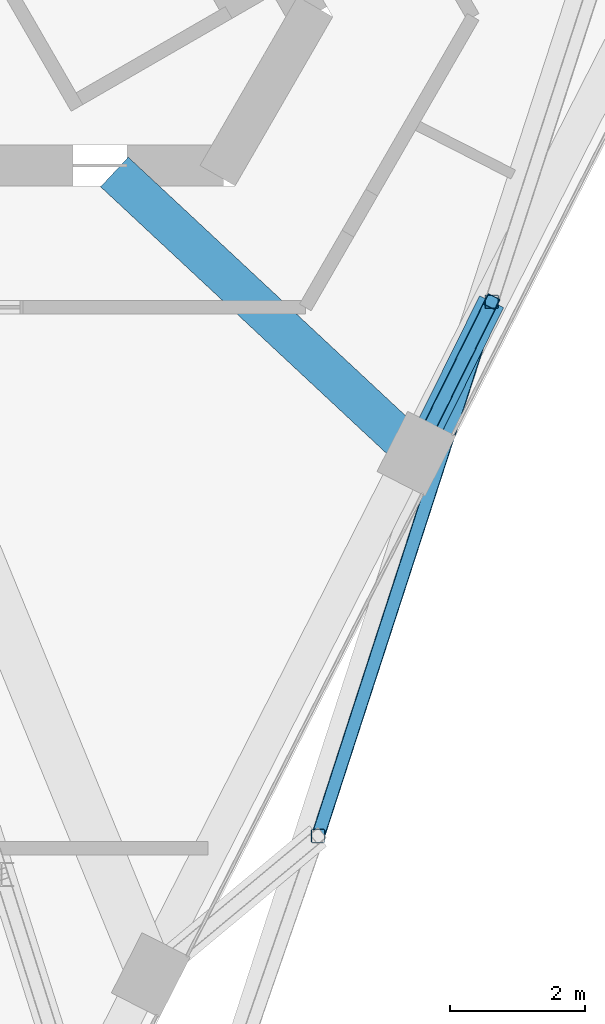
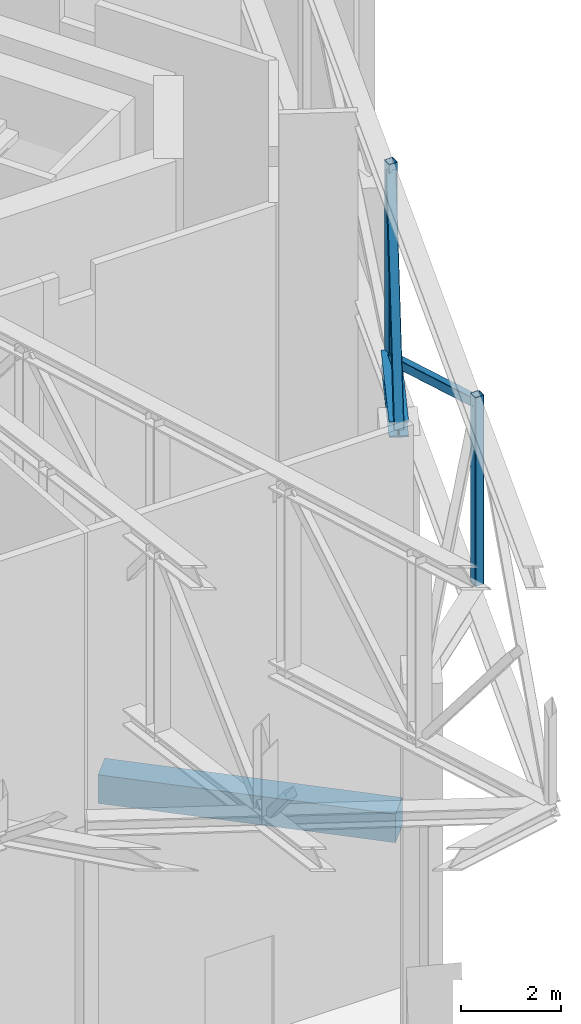
# One storey, part 8 of 23: 5 members, 1 beam.
"""IFC4 building model written with IfcOpenShell, lengths in metres."""

from ifc_helpers import new_model, si_unit, direction, frame, origin, origin_2d, place, context, subcontext, project, spatial, rectangle, hollow_rectangle, i_section, extrude, material, material_profile, profile_set, type_object, element, save


model = new_model("IFC4")

# Units and contexts
model_context = context("Model", 3, precision=1e-05, world=origin(), true_north=direction((0.0, 1.0)))
body_context = subcontext(model_context, "Body", "Model", "MODEL_VIEW")
ifc_project = project(units=[si_unit("LENGTHUNIT", "METRE"), si_unit("AREAUNIT", "SQUARE_METRE"), si_unit("VOLUMEUNIT", "CUBIC_METRE"), si_unit("PLANEANGLEUNIT", "RADIAN"), si_unit("MASSUNIT", "GRAM", prefix="KILO")], contexts=[model_context])

# Site, building, storey
site_placement = place(None, origin())
site = spatial("IfcSite", under=ifc_project, at=site_placement, CompositionType="ELEMENT")
building_placement = place(site_placement, origin())
building = spatial("IfcBuilding", under=site, at=building_placement, Name="Tramontana Tower", CompositionType="ELEMENT")
storey_placement = place(building_placement, frame((0.0, 0.0, 306.39990234375)))
storey = spatial("IfcBuildingStorey", under=building, at=storey_placement, Name="L72", CompositionType="ELEMENT", Elevation=306.39990234375)

# Members
ifc_material_1 = material(Name="Steel ASTM A500 Grade C", Category="steel")
ifc_material_profile_1 = material_profile(ifc_material_1, hollow_rectangle(XDim=0.203125, YDim=0.203125, WallThickness=0.0087890625, InnerFilletRadius=0.0087890625, OuterFilletRadius=0.017822265625, at=origin_2d()), Name="HSS8X8X3/8")
ifc_profile_set_1 = profile_set([ifc_material_profile_1], Name="Steel ASTM A500 Grade C")
member_type_1 = type_object("IfcMemberType", Name="Belt truss HSS8X8X3/8 brace", PredefinedType="BRACE", material=ifc_profile_set_1)
member_1_placement = place(storey_placement, frame((10.03173828125, -16.3720703125, 13.456298828125), z_axis=(0.270211924337, 0.831640558158, -0.485138637888), x_axis=(-0.951058019695, 0.309012367347, 0.0)))
element("IfcMember", 1, at=member_1_placement, inside=storey, type_object=member_type_1, Name="Belt truss diagonal S1.2", PredefinedType="BRACE", context=body_context, shape_type="SweptSolid", body=[
    extrude(hollow_rectangle(XDim=0.203125, YDim=0.203125, WallThickness=0.0087890625, InnerFilletRadius=0.0087890625, OuterFilletRadius=0.017822265625, at=origin_2d()), origin(), (0.0, 0.0, 1.0), 9.5078125),
])
ifc_material_2 = material(Name="Steel ASTM A500 Grade C", Category="steel")
ifc_material_profile_2 = material_profile(ifc_material_2, hollow_rectangle(XDim=0.203125, YDim=0.203125, WallThickness=0.0087890625, InnerFilletRadius=0.0087890625, OuterFilletRadius=0.017822265625, at=origin_2d()), Name="HSS8X8X3/8")
ifc_profile_set_2 = profile_set([ifc_material_profile_2], Name="Steel ASTM A500 Grade C")
member_type_2 = type_object("IfcMemberType", Name="Belt truss HSS8X8X3/8 post", PredefinedType="POST", material=ifc_profile_set_2)
for number, where, z_axis, x_axis, name in (
    (2, (10.03173828125, -16.3720703125, 9.037353515625), (0.0, 0.0, 1.0), (1.0, 0.0, 0.0), "Belt truss post C8F05"),
    (3, (12.600830078125, -8.465087890625, 9.037353515625), (0.0, 0.0, 1.0), (1.0, 0.0, 0.0), "Belt truss post C8F06"),
):
    element("IfcMember", number, at=place(storey_placement, frame(where, z_axis=z_axis, x_axis=x_axis)), inside=storey, type_object=member_type_2, Name=name, PredefinedType="POST", context=body_context, shape_type="SweptSolid", body=[
        extrude(hollow_rectangle(XDim=0.203125, YDim=0.203125, WallThickness=0.0087890625, InnerFilletRadius=0.0087890625, OuterFilletRadius=0.017822265625, at=origin_2d()), origin(), (0.0, 0.0, 1.0), 4.61279296875),
    ])

# Beam
ifc_material_3 = material(Name="Concrete 40 MPa", Category="concrete")
ifc_material_profile_3 = material_profile(ifc_material_3, rectangle(XDim=0.60009765625, YDim=0.699951171875, at=origin_2d()), Name="RC GIRDER 600X700 40 MPa")
ifc_profile_set_3 = profile_set([ifc_material_profile_3], Name="Concrete 40 MPa")
beam_type = type_object("IfcBeamType", Name="RC GIRDER 600X700 40 MPa", PredefinedType="BEAM", material=ifc_profile_set_3)
beam_placement = place(storey_placement, frame((11.48828125, -10.71337890625, -0.699951171875), z_axis=(-0.731344808312, 0.682007896843, 0.0), x_axis=(-0.682007896843, -0.731344808312, 0.0)))
element("IfcBeam", 4, at=beam_placement, inside=storey, type_object=beam_type, Name="Radial girder C7F06 L72", PredefinedType="BEAM", context=body_context, shape_type="SweptSolid", body=[
    extrude(rectangle(XDim=0.60009765625, YDim=0.699951171875, at=origin_2d()), origin(), (0.0, 0.0, 1.0), 6.111328125),
])

# Members
ifc_material_4 = material(Name="Steel ASTM A500 Grade C", Category="steel")
ifc_material_profile_4 = material_profile(ifc_material_4, hollow_rectangle(XDim=0.203125, YDim=0.203125, WallThickness=0.0087890625, InnerFilletRadius=0.0087890625, OuterFilletRadius=0.017822265625, at=origin_2d()), Name="HSS8X8X3/8")
ifc_profile_set_4 = profile_set([ifc_material_profile_4], Name="Steel ASTM A500 Grade C")
member_type_3 = type_object("IfcMemberType", Name="Transfer truss HSS8X8X3/8 brace", PredefinedType="BRACE", material=ifc_profile_set_4)
member_2_placement = place(storey_placement, frame((11.48828125, -10.71337890625, 8.84375), z_axis=(0.211892214886, 0.428201757051, 0.878490150502), x_axis=(-0.896268725579, 0.443511410844, 0.0)))
element("IfcMember", 5, at=member_2_placement, inside=storey, type_object=member_type_3, Name="Transfer truss strut C8F06 diagonal", PredefinedType="BRACE", context=body_context, shape_type="SweptSolid", body=[
    extrude(hollow_rectangle(XDim=0.203125, YDim=0.203125, WallThickness=0.0087890625, InnerFilletRadius=0.0087890625, OuterFilletRadius=0.017822265625, at=origin_2d()), origin(), (0.0, 0.0, 1.0), 5.25048828125),
])
ifc_material_5 = material(Name="Steel ASTM A992 Grade 50", Category="steel")
ifc_material_profile_5 = material_profile(ifc_material_5, i_section(OverallWidth=0.39697265625, OverallDepth=0.387451171875, WebThickness=0.020751953125, FlangeThickness=0.033447265625, FilletRadius=0.01513671875, at=origin_2d()), Name="W14X176")
ifc_profile_set_5 = profile_set([ifc_material_profile_5], Name="Steel ASTM A992 Grade 50")
member_type_4 = type_object("IfcMemberType", Name="Transfer truss W14X176 strut", PredefinedType="STRUT", material=ifc_profile_set_5)
member_3_placement = place(storey_placement, frame((11.48828125, -10.71337890625, 8.84375), z_axis=(0.443511410844, 0.896268725579, 0.0), x_axis=(-0.896268725579, 0.443511410844, 0.0)))
element("IfcMember", 6, at=member_3_placement, inside=storey, type_object=member_type_4, Name="Transfer truss strut C8F06 bottom", PredefinedType="STRUT", context=body_context, shape_type="SweptSolid", body=[
    extrude(i_section(OverallWidth=0.39697265625, OverallDepth=0.387451171875, WebThickness=0.020751953125, FlangeThickness=0.033447265625, FilletRadius=0.01513671875, at=origin_2d()), origin(), (0.0, 0.0, 1.0), 2.508544921875),
])

save(model, "model.ifc")
